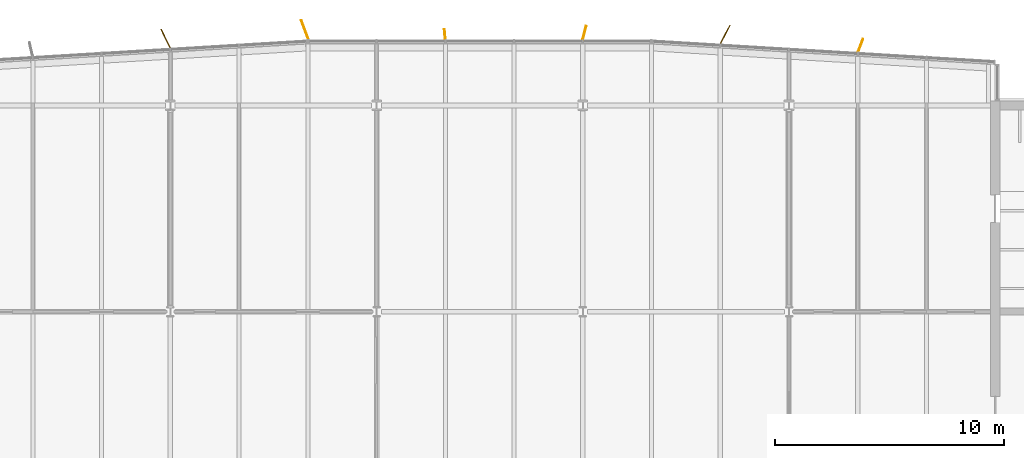
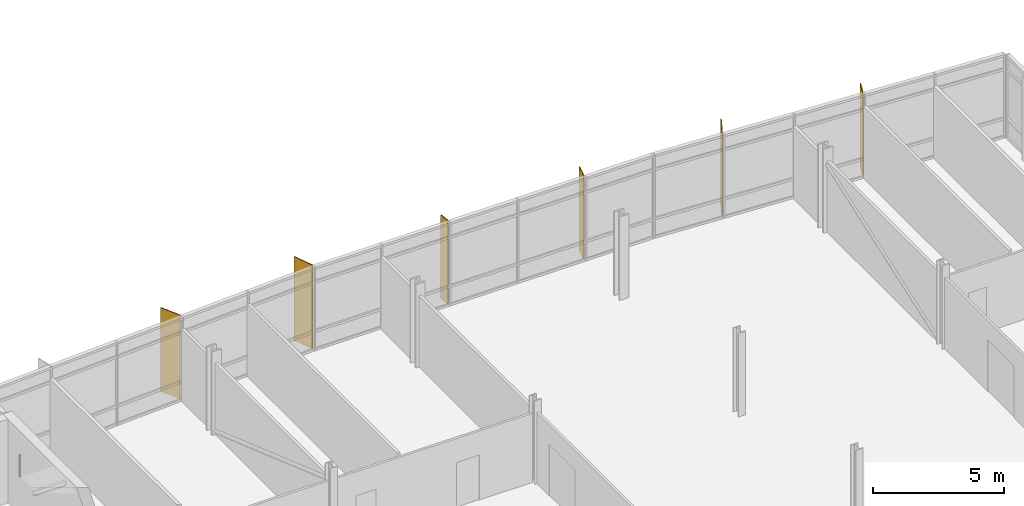
# One storey, part 20 of 20: 6 shading devices.
"""IFC4 building model written with IfcOpenShell, lengths in metres."""

from ifc_helpers import new_model, si_unit, direction, frame, origin, origin_2d, place, context, subcontext, project, spatial, rectangle, extrude, material, layer, layer_set, type_object, element, save


model = new_model("IFC4")

# Units and contexts
model_context = context("Model", 3, precision=1e-05, world=origin(), true_north=direction((0.0, 1.0)))
body_context = subcontext(model_context, "Body", "Model", "MODEL_VIEW")
ifc_project = project(units=[si_unit("LENGTHUNIT", "METRE"), si_unit("AREAUNIT", "SQUARE_METRE"), si_unit("VOLUMEUNIT", "CUBIC_METRE"), si_unit("PLANEANGLEUNIT", "RADIAN"), si_unit("MASSUNIT", "GRAM", prefix="KILO")], contexts=[model_context])

# Site, building, storey
site_placement = place(None, origin())
site = spatial("IfcSite", under=ifc_project, at=site_placement, CompositionType="ELEMENT")
building_placement = place(site_placement, origin())
building = spatial("IfcBuilding", under=site, at=building_placement, Name="Azimuth Sports and Learning Centre", CompositionType="ELEMENT")
storey_placement = place(building_placement, frame((0.0, 0.0, 44.10009765625)))
storey = spatial("IfcBuildingStorey", under=building, at=storey_placement, Name="L09", CompositionType="ELEMENT", Elevation=44.10009765625)

# Shading devices
ifc_material_1 = material(Name="Aluminium", Category="aluminium")
ifc_layer_1 = layer(ifc_material_1, 0.0400390625)
ifc_layer_set_1 = layer_set([ifc_layer_1], Name="Aluminium")
shading_device_type_1 = type_object("IfcShadingDeviceType", Name="Shading fin 450", PredefinedType="JALOUSIE", material=ifc_layer_set_1)
shading_device_placement = place(storey_placement, frame((83.98046875, 120.104248046875, 0.0), z_axis=(0.0, 0.0, 1.0), x_axis=(-0.086979796274, 0.996210075757, 0.0)))
element("IfcShadingDevice", 1, at=shading_device_placement, inside=storey, type_object=shading_device_type_1, Name="Shading fin F09-011", PredefinedType="JALOUSIE", context=body_context, shape_type="SweptSolid", body=[
    extrude(rectangle(XDim=0.449951171875, YDim=0.0400390625, at=origin_2d()), origin(), (0.0, 0.0, 1.0), 3.89990234375),
])
ifc_material_2 = material(Name="Aluminium", Category="aluminium")
ifc_layer_2 = layer(ifc_material_2, 0.0400390625)
ifc_layer_set_2 = layer_set([ifc_layer_2], Name="Aluminium")
shading_device_type_2 = type_object("IfcShadingDeviceType", Name="Shading fin 600", PredefinedType="JALOUSIE", material=ifc_layer_set_2)
for number, where, z_axis, x_axis, name in (
    (2, (102.11962890625, 119.619140625, 0.0), (0.0, 0.0, 1.0), (0.362748531664, 0.931887065462, 0.0), "Shading fin F09-008"),
    (3, (90.072998046875, 120.1708984375, 0.0), (0.0, 0.0, 1.0), (0.243730896369, 0.969842899729, 0.0), "Shading fin F09-010"),
):
    element("IfcShadingDevice", number, at=place(storey_placement, frame(where, z_axis=z_axis, x_axis=x_axis)), inside=storey, type_object=shading_device_type_2, Name=name, PredefinedType="JALOUSIE", context=body_context, shape_type="SweptSolid", body=[
        extrude(rectangle(XDim=0.60009765625, YDim=0.0400390625, at=origin_2d()), origin(), (0.0, 0.0, 1.0), 3.89990234375),
    ])
ifc_material_3 = material(Name="Aluminium", Category="aluminium")
ifc_layer_3 = layer(ifc_material_3, 0.0400390625)
ifc_layer_set_3 = layer_set([ifc_layer_3], Name="Aluminium")
shading_device_type_3 = type_object("IfcShadingDeviceType", Name="Shading fin 900", PredefinedType="JALOUSIE", material=ifc_layer_set_3)
for number, where, z_axis, x_axis, name in (
    (4, (96.21728515625, 120.099609375, 0.0), (0.0, 0.0, 1.0), (0.458682723789, 0.888600111916, 0.0), "Shading fin F09-009"),
    (5, (77.870361328125, 120.30078125, 0.0), (0.0, 0.0, 1.0), (-0.354855844612, 0.934921028507, 0.0), "Shading fin F09-012"),
    (6, (71.7900390625, 119.92333984375, 0.0), (0.0, 0.0, 1.0), (-0.442429089314, 0.896803490698, 0.0), "Shading fin F09-013"),
):
    element("IfcShadingDevice", number, at=place(storey_placement, frame(where, z_axis=z_axis, x_axis=x_axis)), inside=storey, type_object=shading_device_type_3, Name=name, PredefinedType="JALOUSIE", context=body_context, shape_type="SweptSolid", body=[
        extrude(rectangle(XDim=0.89990234375, YDim=0.0400390625, at=origin_2d()), origin(), (0.0, 0.0, 1.0), 3.89990234375),
    ])

save(model, "model.ifc")
